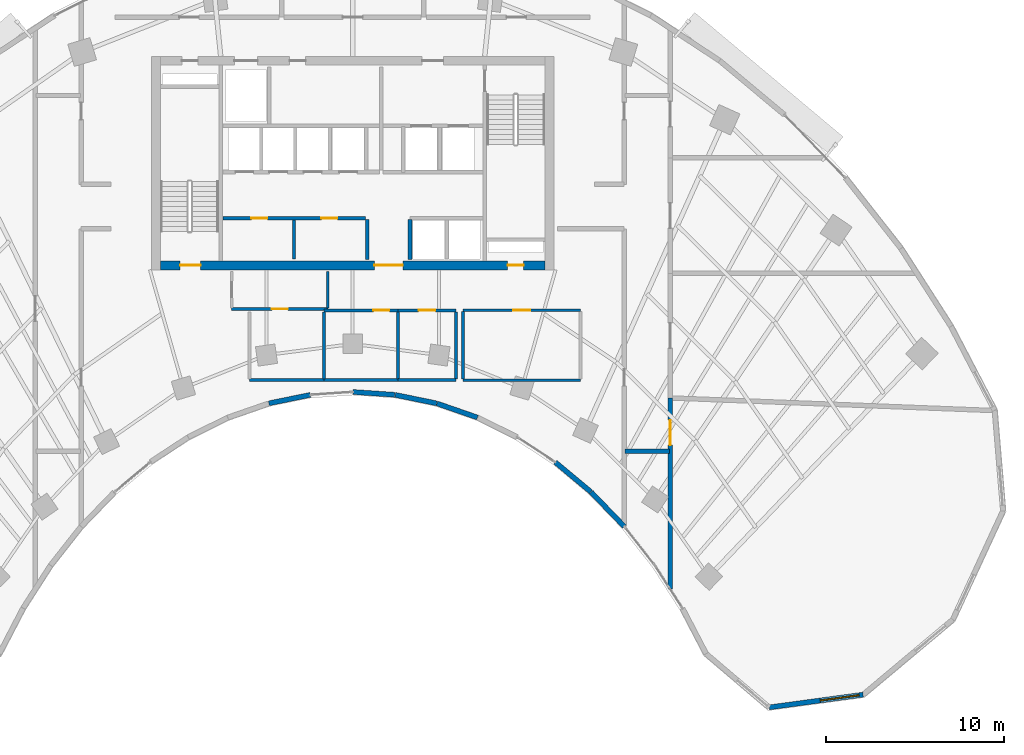
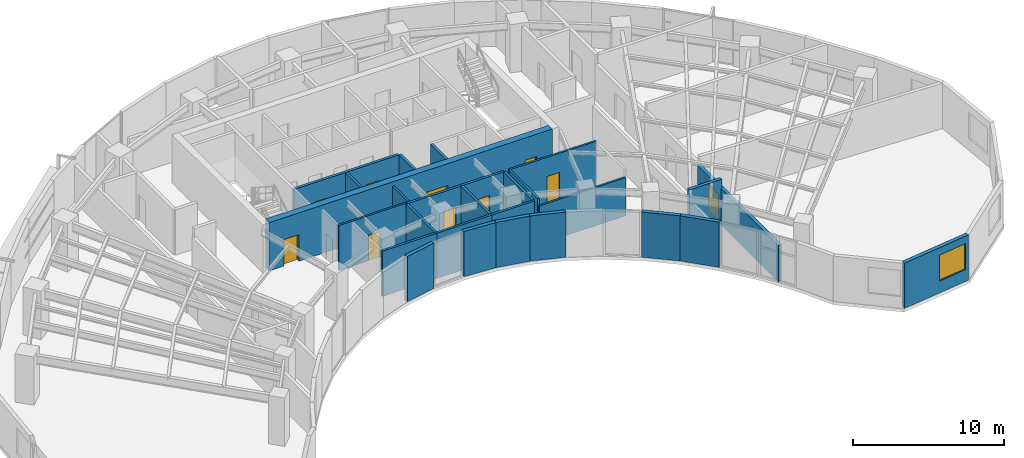
# One storey, part 9 of 14: 27 walls, 10 doors, 1 window, 11 openings.
"""IFC4 building model written with IfcOpenShell, lengths in metres."""

import ifcopenshell
import ifcopenshell.guid

model = None  # the IFC model being written
_history = None  # IfcOwnerHistory: only IFC2X3 demands one
_inside = {}  # id of a spatial element -> (the spatial element, [elements in it])
_under = {}  # id of a project, library or spatial element -> (it, [spatial elements below it])
_declared = {}  # id of a project -> (the project, [libraries it declares])
_typed = {}  # id of a type object -> (the type object, [elements of that type])
_made_of = {}  # id of a material, layer set ... -> (it, [elements and type objects made of it])


def new_model(schema):
    """Start an empty IFC model of exactly this schema.

    Asked for "IFC4X3", IfcOpenShell would pick the latest addendum, in which some entities
    have other attributes; the version numbers below select the first issue.
    IFC2X3 requires an IfcOwnerHistory on every rooted entity: one is made here for all.
    """
    global model, _history
    if schema == "IFC4X3":
        model = ifcopenshell.file(schema_version=(4, 3, 0, 0))
    else:
        model = ifcopenshell.file(schema=schema)
    _inside.clear()
    _under.clear()
    _declared.clear()
    _typed.clear()
    _made_of.clear()
    _history = None
    if model.schema == "IFC2X3":
        org = make("IfcOrganization", Name="unknown")
        user = make(
            "IfcPersonAndOrganization",
            ThePerson=make("IfcPerson", FamilyName="unknown"),
            TheOrganization=org,
        )
        app = make(
            "IfcApplication",
            ApplicationDeveloper=org,
            Version="unknown",
            ApplicationFullName="unknown",
            ApplicationIdentifier="unknown",
        )
        _history = make(
            "IfcOwnerHistory",
            OwningUser=user,
            OwningApplication=app,
            ChangeAction="ADDED",
            CreationDate=0,
        )
    return model


def make(cls, **values):
    """One entity of the class cls with the attributes given. An attribute that is None is left unset."""
    return model.create_entity(
        cls, **{name: value for name, value in values.items() if value is not None}
    )


def rooted(cls, **values):
    """An entity with a GlobalId (a new one), such as an element, a storey or a relation."""
    return make(cls, GlobalId=ifcopenshell.guid.new(), OwnerHistory=_history, **values)


def si_unit(unit_type, name, prefix=None):
    """IfcSIUnit, for example si_unit("LENGTHUNIT", "METRE", prefix="MILLI")."""
    return make("IfcSIUnit", UnitType=unit_type, Prefix=prefix, Name=name)


def assignment(units):
    """IfcUnitAssignment: the units of a project."""
    return None if units is None else make("IfcUnitAssignment", Units=units)


def point(xyz):
    """IfcCartesianPoint."""
    return None if xyz is None else make("IfcCartesianPoint", Coordinates=xyz)


def direction(xyz):
    """IfcDirection."""
    return None if xyz is None else make("IfcDirection", DirectionRatios=xyz)


def frame(location, z_axis=None, x_axis=None):
    """IfcAxis2Placement3D, a coordinate frame: its origin and axes. An axis left out is left unset."""
    return make(
        "IfcAxis2Placement3D",
        Location=point(location),
        Axis=direction(z_axis),
        RefDirection=direction(x_axis),
    )


def frame_2d(location, x_axis=None):
    """IfcAxis2Placement2D, a coordinate frame in the plane: its origin and x axis."""
    return make(
        "IfcAxis2Placement2D", Location=point(location), RefDirection=direction(x_axis)
    )


def origin():
    """The frame at (0, 0, 0) with its axes left unset."""
    return frame((0.0, 0.0, 0.0))


def place(relative_to, where):
    """IfcLocalPlacement: puts the frame where relative to a parent placement (None: the world)."""
    return make(
        "IfcLocalPlacement", PlacementRelTo=relative_to, RelativePlacement=where
    )


def context(
    kind, dimensions, precision=None, world=None, true_north=None, identifier=None
):
    """IfcGeometricRepresentationContext, for example the 3D "Model" context."""
    return make(
        "IfcGeometricRepresentationContext",
        ContextIdentifier=identifier,
        ContextType=kind,
        CoordinateSpaceDimension=dimensions,
        Precision=precision,
        WorldCoordinateSystem=world,
        TrueNorth=true_north,
    )


def subcontext(parent, identifier, kind, view, scale=None):
    """IfcGeometricRepresentationSubContext, for example "Body" below "Model"."""
    return make(
        "IfcGeometricRepresentationSubContext",
        ContextIdentifier=identifier,
        ContextType=kind,
        ParentContext=parent,
        TargetScale=scale,
        TargetView=view,
    )


def project(units=None, contexts=None):
    """IfcProject with its units and contexts."""
    return rooted(
        "IfcProject",
        Name="project",
        RepresentationContexts=contexts,
        UnitsInContext=assignment(units),
    )


def spatial(cls, under=None, at=None, **own):
    """A site, building, storey or space (cls), placed at a placement, below another one or the project."""
    s = rooted(cls, ObjectPlacement=at, **own)
    if under is not None:
        _under.setdefault(under.id(), (under, []))[1].append(s)
    return s


def profile(cls, at=None, kind="AREA", **sizes):
    """A parametric profile (cls). Its sizes go by their IFC names, for example OverallWidth=200.0."""
    return make(cls, ProfileType=kind, Position=at, **sizes)


def rectangle(**sizes):
    """IfcRectangleProfileDef."""
    return profile("IfcRectangleProfileDef", **sizes)


def extrude(swept, where, along, depth):
    """IfcExtrudedAreaSolid: the profile swept, set in the frame where, extruded along a direction by depth."""
    return make(
        "IfcExtrudedAreaSolid",
        SweptArea=swept,
        Position=where,
        ExtrudedDirection=direction(along),
        Depth=depth,
    )


def shape(context_of_items, identifier, shape_type, items):
    """IfcShapeRepresentation: the items that make up one representation, for example the "Body"."""
    return make(
        "IfcShapeRepresentation",
        ContextOfItems=context_of_items,
        RepresentationIdentifier=identifier,
        RepresentationType=shape_type,
        Items=items,
    )


def source(mapping_origin, context_of_items, identifier, shape_type, items):
    """IfcRepresentationMap: a shape defined once, which mapped items show again and again."""
    return make(
        "IfcRepresentationMap",
        MappingOrigin=mapping_origin,
        MappedRepresentation=shape(context_of_items, identifier, shape_type, items),
    )


def transform(
    local_origin,
    x_axis=None,
    y_axis=None,
    z_axis=None,
    scale=None,
    scale2=None,
    scale3=None,
    uniform=True,
):
    """IfcCartesianTransformationOperator3D, or its non-uniform kind. x_axis, y_axis, z_axis: its Axis1, 2, 3."""
    if uniform:
        return make(
            "IfcCartesianTransformationOperator3D",
            Axis1=direction(x_axis),
            Axis2=direction(y_axis),
            LocalOrigin=point(local_origin),
            Scale=scale,
            Axis3=direction(z_axis),
        )
    return make(
        "IfcCartesianTransformationOperator3DnonUniform",
        Axis1=direction(x_axis),
        Axis2=direction(y_axis),
        LocalOrigin=point(local_origin),
        Scale=scale,
        Axis3=direction(z_axis),
        Scale2=scale2,
        Scale3=scale3,
    )


def mapped(mapping_source, mapping_target):
    """IfcMappedItem: shows the shape of a source again, moved by a transform."""
    return make(
        "IfcMappedItem", MappingSource=mapping_source, MappingTarget=mapping_target
    )


def material(Name=None, Category=None):
    """IfcMaterial."""
    return make("IfcMaterial", Name=Name, Category=Category)


def layer(
    of_material, thickness, ventilated=None, Name=None, Category=None, Priority=None
):
    """IfcMaterialLayer: one layer of a wall or slab, of a material (None: an air gap)."""
    return make(
        "IfcMaterialLayer",
        Material=of_material,
        LayerThickness=thickness,
        IsVentilated=ventilated,
        Name=Name,
        Category=Category,
        Priority=Priority,
    )


def layer_set(layers, Name=None):
    """IfcMaterialLayerSet."""
    return make("IfcMaterialLayerSet", MaterialLayers=layers, LayerSetName=Name)


def made_of(thing, what):
    """Note that an element or type object is made of a material, layer set ...; save() writes the relation."""
    if what is not None:
        _made_of.setdefault(what.id(), (what, []))[1].append(thing)
    return thing


def type_object(cls, material=None, **own):
    """A type object (cls), such as IfcWallType, which elements share."""
    return made_of(rooted(cls, **own), material)


def type_shapes(of_type, sources):
    """Give a type object the sources (RepresentationMaps) that its elements show as mapped items."""
    of_type.RepresentationMaps = sources


def element(
    cls,
    number,
    at=None,
    inside=None,
    cuts=None,
    type_object=None,
    material=None,
    context=None,
    identifier="Body",
    shape_type=None,
    held_by="IfcProductDefinitionShape",
    body=None,
    shapes=None,
    **own,
):
    """One element of the class cls, such as IfcWall. Its Tag is "e" and its number.

    at: its placement. inside: the storey or other place that contains it. cuts: it is an
    opening in that element (IfcRelVoidsElement). A single representation is given by context,
    identifier, shape_type and body (its items); several are given by shapes. held_by: the class
    of the entity that holds the representations. save() writes the other relations.
    """
    e = rooted(cls, Tag="e%d" % number, ObjectPlacement=at, **own)
    if body is not None:
        shapes = [shape(context, identifier, shape_type, body)]
    if shapes is not None:
        e.Representation = make(held_by, Representations=shapes)
    if inside is not None:
        _inside.setdefault(inside.id(), (inside, []))[1].append(e)
    if cuts is not None:
        rooted(
            "IfcRelVoidsElement", RelatingBuildingElement=cuts, RelatedOpeningElement=e
        )
    if type_object is not None:
        _typed.setdefault(type_object.id(), (type_object, []))[1].append(e)
    return made_of(e, material)


def fill(opening, filler):
    """IfcRelFillsElement: the door or window that sits in an opening."""
    return rooted(
        "IfcRelFillsElement",
        RelatingOpeningElement=opening,
        RelatedBuildingElement=filler,
    )


def aggregate(whole, parts):
    """IfcRelAggregates: a whole, such as a stair, and the parts it consists of."""
    return rooted("IfcRelAggregates", RelatingObject=whole, RelatedObjects=parts)


def save(model, path):
    """Write the relations noted so far, then the file.

    IfcRelAggregates (storeys below a building ...), IfcRelContainedInSpatialStructure (elements
    in a storey), IfcRelDefinesByType, IfcRelAssociatesMaterial and IfcRelDeclares: one each for
    every whole, place, type object, material and project.
    """
    for whole, parts in _under.values():
        aggregate(whole, parts)
    for where, things in _inside.values():
        rooted(
            "IfcRelContainedInSpatialStructure",
            RelatedElements=things,
            RelatingStructure=where,
        )
    for kind, things in _typed.values():
        rooted("IfcRelDefinesByType", RelatedObjects=things, RelatingType=kind)
    for what, things in _made_of.values():
        rooted("IfcRelAssociatesMaterial", RelatedObjects=things, RelatingMaterial=what)
    for by, libraries in _declared.values():
        rooted("IfcRelDeclares", RelatingContext=by, RelatedDefinitions=libraries)
    model.write(path)


model = new_model("IFC4")

# Units and contexts
model_context = context("Model", 3, precision=1e-05, world=origin(), true_north=direction((0.0, 1.0)))
body_context = subcontext(model_context, "Body", "Model", "MODEL_VIEW")
ifc_project = project(units=[si_unit("LENGTHUNIT", "METRE"), si_unit("AREAUNIT", "SQUARE_METRE"), si_unit("VOLUMEUNIT", "CUBIC_METRE"), si_unit("PLANEANGLEUNIT", "RADIAN"), si_unit("MASSUNIT", "GRAM", prefix="KILO")], contexts=[model_context])

# Site, building, storey
site_placement = place(None, origin())
site = spatial("IfcSite", under=ifc_project, at=site_placement, CompositionType="ELEMENT")
building_placement = place(site_placement, origin())
building = spatial("IfcBuilding", under=site, at=building_placement, Name="Breltana Convention Tower", CompositionType="ELEMENT")
storey_placement = place(building_placement, frame((0.0, 0.0, 123.300048828125)))
storey = spatial("IfcBuildingStorey", under=building, at=storey_placement, Name="L29", CompositionType="ELEMENT", Elevation=123.300048828125)

# Wall, openings, doors
ifc_material_1 = material(Name="Concrete C60/75", Category="concrete")
ifc_layer_1 = layer(ifc_material_1, 0.5, Name="Concrete C60/75")
ifc_layer_set_1 = layer_set([ifc_layer_1], Name="Concrete C60/75")
wall_type_1 = type_object("IfcWallType", Name="SW-CORE-500", PredefinedType="SHEAR", material=ifc_layer_set_1)
shared_shape_1 = source(origin(), body_context, "Body", "SweptSolid", [
    extrude(rectangle(XDim=21.60009765625, YDim=0.5, at=frame_2d((10.800048828125, 0.0))), origin(), (0.0, 0.0, 1.0), 3.89990234375),
])
wall_1_placement = place(storey_placement, frame((37.199951171875, 60.449951171875, 0.0), z_axis=(0.0, 0.0, 1.0), x_axis=(1.0, 0.0, 0.0)))
wall_1 = element("IfcWall", 1, at=wall_1_placement, inside=storey, type_object=wall_type_1, Name="L29 South Core Shear Wall", PredefinedType="SHEAR", context=body_context, shape_type="MappedRepresentation", body=[
    mapped(shared_shape_1, transform((0.0, 0.0, 0.0), scale=1.0)),
])
opening_1_placement = place(wall_1_placement, frame((1.10009765625, 0.0, 0.0)))
opening_1 = element("IfcOpeningElement", 2, at=opening_1_placement, cuts=wall_1, Name="Opening D-11", PredefinedType="OPENING", context=body_context, shape_type="SweptSolid", body=[
    extrude(rectangle(XDim=1.14990234375, YDim=2.14990234375, at=frame_2d((0.574951171875, 1.074951171875))), frame((0.0, 0.260009765625, 0.0), z_axis=(0.0, -1.0, 0.0), x_axis=(1.0, 0.0, 0.0)), (0.0, 0.0, 1.0), 0.52001953125),
])
opening_2_placement = place(wall_1_placement, frame((19.5, 0.0, 0.0)))
opening_2 = element("IfcOpeningElement", 3, at=opening_2_placement, cuts=wall_1, Name="Opening D-18", PredefinedType="OPENING", context=body_context, shape_type="SweptSolid", body=[
    extrude(rectangle(XDim=0.89990234375, YDim=2.10009765625, at=frame_2d((0.449951171875, 1.050048828125))), frame((0.0, 0.260009765625, 0.0), z_axis=(0.0, -1.0, 0.0), x_axis=(1.0, 0.0, 0.0)), (0.0, 0.0, 1.0), 0.52001953125),
])
opening_3_placement = place(wall_1_placement, frame((12.02001953125, 0.0, 0.0)))
opening_3 = element("IfcOpeningElement", 4, at=opening_3_placement, cuts=wall_1, Name="Opening D-02", PredefinedType="OPENING", context=body_context, shape_type="SweptSolid", body=[
    extrude(rectangle(XDim=1.60009765625, YDim=2.14990234375, at=frame_2d((0.800048828125, 1.074951171875))), frame((0.0, 0.260009765625, 0.0), z_axis=(0.0, -1.0, 0.0), x_axis=(1.0, 0.0, 0.0)), (0.0, 0.0, 1.0), 0.52001953125),
])
ifc_material_2 = material(Name="Steel Stair Exit Door", Category="steel")
door_type_1 = type_object("IfcDoorType", Name="DR-FD120-1150", OperationType="NOTDEFINED", PredefinedType="DOOR", material=ifc_material_2)
shared_shape_2 = source(origin(), body_context, "Body", "SweptSolid", [
    extrude(rectangle(XDim=1.14990234375, YDim=2.14990234375, at=frame_2d((0.574951171875, 1.074951171875))), frame((0.0, 0.02490234375, 0.0), z_axis=(0.0, -1.0, 0.0), x_axis=(1.0, 0.0, 0.0)), (0.0, 0.0, 1.0), 0.050048828125),
])
type_shapes(door_type_1, [shared_shape_2])
door_1_placement = place(opening_1_placement, origin())
door_1 = element("IfcDoor", 5, at=door_1_placement, inside=storey, type_object=door_type_1, Name="L29 interior door D-L29-ST1", OperationType="SINGLE_SWING_LEFT", OverallHeight=2.14990234375, OverallWidth=1.14990234375, PredefinedType="DOOR", context=body_context, shape_type="MappedRepresentation", body=[
    mapped(shared_shape_2, transform((0.0, 0.0, 0.0), scale=1.0)),
])
fill(opening_1, door_1)
ifc_material_3 = material(Name="Steel Riser Fire Door", Category="steel")
door_type_2 = type_object("IfcDoorType", Name="DR-FD60-900", OperationType="NOTDEFINED", PredefinedType="DOOR", material=ifc_material_3)
shared_shape_3 = source(origin(), body_context, "Body", "SweptSolid", [
    extrude(rectangle(XDim=0.89990234375, YDim=2.10009765625, at=frame_2d((0.449951171875, 1.050048828125))), frame((0.0, 0.02490234375, 0.0), z_axis=(0.0, -1.0, 0.0), x_axis=(1.0, 0.0, 0.0)), (0.0, 0.0, 1.0), 0.050048828125),
])
type_shapes(door_type_2, [shared_shape_3])
door_2_placement = place(opening_2_placement, origin())
door_2 = element("IfcDoor", 6, at=door_2_placement, inside=storey, type_object=door_type_2, Name="L29 Core Riser Access Door D-L29-RS2", OperationType="SINGLE_SWING_RIGHT", OverallHeight=2.10009765625, OverallWidth=0.89990234375, PredefinedType="DOOR", context=body_context, shape_type="MappedRepresentation", body=[
    mapped(shared_shape_3, transform((0.0, 0.0, 0.0), scale=1.0)),
])
fill(opening_2, door_2)
ifc_material_4 = material(Name="Steel Glazed Smoke-Control Door", Category="steel")
door_type_3 = type_object("IfcDoorType", Name="DR-DBL-FD90-1600", OperationType="DOUBLE_DOOR_SINGLE_SWING", PredefinedType="DOOR", material=ifc_material_4)
shared_shape_4 = source(origin(), body_context, "Body", "SweptSolid", [
    extrude(rectangle(XDim=1.60009765625, YDim=2.14990234375, at=frame_2d((0.800048828125, 1.074951171875))), frame((0.0, 0.02490234375, 0.0), z_axis=(0.0, -1.0, 0.0), x_axis=(1.0, 0.0, 0.0)), (0.0, 0.0, 1.0), 0.050048828125),
])
type_shapes(door_type_3, [shared_shape_4])
door_3_placement = place(opening_3_placement, origin())
door_3 = element("IfcDoor", 7, at=door_3_placement, inside=storey, type_object=door_type_3, Name="L29 interior door D-L29-LLB-S", OperationType="DOUBLE_DOOR_SINGLE_SWING", OverallHeight=2.14990234375, OverallWidth=1.60009765625, PredefinedType="DOOR", context=body_context, shape_type="MappedRepresentation", body=[
    mapped(shared_shape_4, transform((0.0, 0.0, 0.0), scale=1.0)),
])
fill(opening_3, door_3)

# Wall, opening, window
ifc_material_5 = material(Name="Limestone Buff Insulated Wall", Category="masonry")
ifc_layer_2 = layer(ifc_material_5, 0.280029296875, Name="Limestone Buff Insulated Wall")
ifc_layer_set_2 = layer_set([ifc_layer_2], Name="Limestone Buff Insulated Wall")
wall_type_2 = type_object("IfcWallType", Name="WL-EXT-NOSE-280", PredefinedType="SOLIDWALL", material=ifc_layer_set_2)
shared_shape_5 = source(origin(), body_context, "Body", "SweptSolid", [
    extrude(rectangle(XDim=5.32373046875, YDim=0.280029296875, at=frame_2d((2.661865234375, 0.0))), origin(), (0.0, 0.0, 1.0), 3.64990234375),
])
wall_2_placement = place(storey_placement, frame((76.685791015625, 36.321533203125, 0.0), z_axis=(0.0, 0.0, 1.0), x_axis=(-0.990931467223, -0.134368252451, 0.0)))
wall_2 = element("IfcWall", 8, at=wall_2_placement, inside=storey, type_object=wall_type_2, Name="L29 curved limestone nose wall E4", PredefinedType="SOLIDWALL", context=body_context, shape_type="MappedRepresentation", body=[
    mapped(shared_shape_5, transform((0.0, 0.0, 0.0), scale=1.0)),
])
opening_4_placement = place(wall_2_placement, frame((0.23095703125, 0.0, 0.949951171875)))
opening_4 = element("IfcOpeningElement", 9, at=opening_4_placement, cuts=wall_2, Name="Opening W-03", PredefinedType="OPENING", context=body_context, shape_type="SweptSolid", body=[
    extrude(rectangle(XDim=2.199951171875, YDim=2.10009765625, at=frame_2d((1.10009765625, 1.050048828125))), frame((0.0, 0.14990234375, 0.0), z_axis=(0.0, -1.0, 0.0), x_axis=(1.0, 0.0, 0.0)), (0.0, 0.0, 1.0), 0.300048828125),
])
ifc_material_6 = material(Name="Glass Low-E Insulated Window", Category="glass")
window_type = type_object("IfcWindowType", Name="WN-NOSE-2200X2100", PartitioningType="TRIPLE_PANEL_VERTICAL", PredefinedType="WINDOW", material=ifc_material_6)
shared_shape_6 = source(origin(), body_context, "Body", "SweptSolid", [
    extrude(rectangle(XDim=2.199951171875, YDim=2.10009765625, at=frame_2d((1.10009765625, 1.050048828125))), frame((0.0, 0.030029296875, 0.0), z_axis=(0.0, -1.0, 0.0), x_axis=(1.0, 0.0, 0.0)), (0.0, 0.0, 1.0), 0.06005859375),
])
type_shapes(window_type, [shared_shape_6])
window_placement = place(opening_4_placement, origin())
window = element("IfcWindow", 10, at=window_placement, inside=storey, type_object=window_type, Name="L29 nose window E4", OverallHeight=2.10009765625, OverallWidth=2.199951171875, PartitioningType="TRIPLE_PANEL_VERTICAL", PredefinedType="WINDOW", context=body_context, shape_type="MappedRepresentation", body=[
    mapped(shared_shape_6, transform((0.0, 0.0, 0.0), scale=1.0)),
])
fill(opening_4, window)

# Walls
shared_shape_7 = source(origin(), body_context, "Body", "SweptSolid", [
    extrude(rectangle(XDim=2.679931640625, YDim=0.280029296875, at=frame_2d((1.33984375, 0.0))), origin(), (0.0, 0.0, 1.0), 3.64990234375),
])
wall_3_placement = place(storey_placement, frame((63.260009765625, 45.780029296875, 0.0), z_axis=(0.0, 0.0, 1.0), x_axis=(-0.694561996568, 0.719432855049, 0.0)))
element("IfcWall", 11, at=wall_3_placement, inside=storey, type_object=wall_type_2, Name="L29 curved limestone nose wall E7", PredefinedType="SOLIDWALL", context=body_context, shape_type="MappedRepresentation", body=[
    mapped(shared_shape_7, transform((0.0, 0.0, 0.0), scale=1.0)),
])
shared_shape_8 = source(origin(), body_context, "Body", "SweptSolid", [
    extrude(rectangle(XDim=2.600830078125, YDim=0.280029296875, at=frame_2d((1.30029296875, 0.0))), origin(), (0.0, 0.0, 1.0), 3.64990234375),
])
wall_4_placement = place(storey_placement, frame((61.384521484375, 47.72119140625, 0.0), z_axis=(0.0, 0.0, 1.0), x_axis=(-0.76796730295, 0.640489048775, 0.0)))
element("IfcWall", 12, at=wall_4_placement, inside=storey, type_object=wall_type_2, Name="L29 curved limestone nose wall E8", PredefinedType="SOLIDWALL", context=body_context, shape_type="MappedRepresentation", body=[
    mapped(shared_shape_8, transform((0.0, 0.0, 0.0), scale=1.0)),
])
shared_shape_9 = source(origin(), body_context, "Body", "SweptSolid", [
    extrude(rectangle(XDim=2.41064453125, YDim=0.280029296875, at=frame_2d((1.205322265625, 0.0))), origin(), (0.0, 0.0, 1.0), 3.64990234375),
])
wall_5_placement = place(storey_placement, frame((55.01171875, 51.8994140625, 0.0), z_axis=(0.0, 0.0, 1.0), x_axis=(-0.944880068161, 0.327416640982, 0.0)))
element("IfcWall", 13, at=wall_5_placement, inside=storey, type_object=wall_type_2, Name="L29 curved limestone nose wall E10", PredefinedType="SOLIDWALL", context=body_context, shape_type="MappedRepresentation", body=[
    mapped(shared_shape_9, transform((0.0, 0.0, 0.0), scale=1.0)),
])
shared_shape_10 = source(origin(), body_context, "Body", "SweptSolid", [
    extrude(rectangle(XDim=2.373779296875, YDim=0.280029296875, at=frame_2d((1.18701171875, 0.0))), origin(), (0.0, 0.0, 1.0), 3.64990234375),
])
for number, where, z_axis, x_axis, name in (
    (14, (52.711181640625, 52.695068359375, 0.0), (0.0, 0.0, 1.0), (-0.979619827472, 0.200860632341, 0.0), "L29 curved limestone nose wall E11"),
    (15, (45.6142578125, 53.171875, 0.0), (0.0, 0.0, 1.0), (-0.979619827472, -0.200860632341, 0.0), "L29 curved limestone nose wall E13"),
):
    element("IfcWall", number, at=place(storey_placement, frame(where, z_axis=z_axis, x_axis=x_axis)), inside=storey, type_object=wall_type_2, Name=name, PredefinedType="SOLIDWALL", context=body_context, shape_type="MappedRepresentation", body=[
        mapped(shared_shape_10, transform((0.0, 0.0, 0.0), scale=1.0)),
    ])
shared_shape_11 = source(origin(), body_context, "Body", "SweptSolid", [
    extrude(rectangle(XDim=2.35498046875, YDim=0.280029296875, at=frame_2d((1.177490234375, 0.0))), origin(), (0.0, 0.0, 1.0), 3.64990234375),
])
wall_6_placement = place(storey_placement, frame((50.36181640625, 53.175048828125, 0.0), z_axis=(0.0, 0.0, 1.0), x_axis=(-0.997699017577, 0.067798748701, 0.0)))
element("IfcWall", 16, at=wall_6_placement, inside=storey, type_object=wall_type_2, Name="L29 curved limestone nose wall E12", PredefinedType="SOLIDWALL", context=body_context, shape_type="MappedRepresentation", body=[
    mapped(shared_shape_11, transform((0.0, 0.0, 0.0), scale=1.0)),
])
ifc_material_7 = material(Name="Autoclaved Aerated Concrete Block", Category="concrete")
ifc_layer_3 = layer(ifc_material_7, 0.199951171875, Name="Autoclaved Aerated Concrete Block")
ifc_layer_set_3 = layer_set([ifc_layer_3], Name="Autoclaved Aerated Concrete Block")
wall_type_3 = type_object("IfcWallType", Name="WL-SHAFT-200", PredefinedType="SOLIDWALL", material=ifc_layer_set_3)
shared_shape_12 = source(origin(), body_context, "Body", "SweptSolid", [
    extrude(rectangle(XDim=2.239990234375, YDim=0.199951171875, at=frame_2d((1.1201171875, 0.0))), origin(), (0.0, 0.0, 1.0), 3.64990234375),
])
for number, where, z_axis, x_axis, name in (
    (17, (48.820068359375, 60.780029296875, 0.0), (0.0, 0.0, 1.0), (0.0, 1.0, 0.0), "L29 interior partition W-L29-PORT-W"),
    (18, (51.219970703125, 60.780029296875, 0.0), (0.0, 0.0, 1.0), (0.0, 1.0, 0.0), "L29 interior partition W-L29-PORT-E"),
):
    element("IfcWall", number, at=place(storey_placement, frame(where, z_axis=z_axis, x_axis=x_axis)), inside=storey, type_object=wall_type_3, Name=name, PredefinedType="SOLIDWALL", context=body_context, shape_type="MappedRepresentation", body=[
        mapped(shared_shape_12, transform((0.0, 0.0, 0.0), scale=1.0)),
    ])

# Wall, openings, doors
shared_shape_13 = source(origin(), body_context, "Body", "SweptSolid", [
    extrude(rectangle(XDim=8.02001953125, YDim=0.199951171875, at=frame_2d((4.010009765625, 0.0))), origin(), (0.0, 0.0, 1.0), 3.64990234375),
])
wall_7_placement = place(storey_placement, frame((40.699951171875, 63.10009765625, 0.0), z_axis=(0.0, 0.0, 1.0), x_axis=(1.0, 0.0, 0.0)))
wall_7 = element("IfcWall", 19, at=wall_7_placement, inside=storey, type_object=wall_type_3, Name="L29 interior partition W-L29-SH-S-FRONT", PredefinedType="SOLIDWALL", context=body_context, shape_type="MappedRepresentation", body=[
    mapped(shared_shape_13, transform((0.0, 0.0, 0.0), scale=1.0)),
])
opening_5_placement = place(wall_7_placement, frame((1.60009765625, 0.0, 0.0)))
opening_5 = element("IfcOpeningElement", 20, at=opening_5_placement, cuts=wall_7, Name="Opening D-18", PredefinedType="OPENING", context=body_context, shape_type="SweptSolid", body=[
    extrude(rectangle(XDim=0.89990234375, YDim=2.10009765625, at=frame_2d((0.449951171875, 1.050048828125))), frame((0.0, 0.10986328125, 0.0), z_axis=(0.0, -1.0, 0.0), x_axis=(1.0, 0.0, 0.0)), (0.0, 0.0, 1.0), 0.219970703125),
])
opening_6_placement = place(wall_7_placement, frame((5.5400390625, 0.0, 0.0)))
opening_6 = element("IfcOpeningElement", 21, at=opening_6_placement, cuts=wall_7, Name="Opening D-18", PredefinedType="OPENING", context=body_context, shape_type="SweptSolid", body=[
    extrude(rectangle(XDim=0.89990234375, YDim=2.10009765625, at=frame_2d((0.449951171875, 1.050048828125))), frame((0.0, 0.10986328125, 0.0), z_axis=(0.0, -1.0, 0.0), x_axis=(1.0, 0.0, 0.0)), (0.0, 0.0, 1.0), 0.219970703125),
])
door_4_placement = place(opening_5_placement, origin())
door_4 = element("IfcDoor", 22, at=door_4_placement, inside=storey, type_object=door_type_2, Name="L29 interior door D-L29-LV7-B1A", OperationType="SINGLE_SWING_RIGHT", OverallHeight=2.10009765625, OverallWidth=0.89990234375, PredefinedType="DOOR", context=body_context, shape_type="MappedRepresentation", body=[
    mapped(shared_shape_3, transform((0.0, 0.0, 0.0), scale=1.0)),
])
fill(opening_5, door_4)
door_5_placement = place(opening_6_placement, origin())
door_5 = element("IfcDoor", 23, at=door_5_placement, inside=storey, type_object=door_type_2, Name="L29 interior door D-L29-LV7-B1B", OperationType="SINGLE_SWING_LEFT", OverallHeight=2.10009765625, OverallWidth=0.89990234375, PredefinedType="DOOR", context=body_context, shape_type="MappedRepresentation", body=[
    mapped(shared_shape_3, transform((0.0, 0.0, 0.0), scale=1.0)),
])
fill(opening_6, door_5)

# Walls
ifc_material_8 = material(Name="Cement Board Wet-Area Partition")
ifc_layer_4 = layer(ifc_material_8, 0.175048828125, Name="Cement Board Wet-Area Partition")
ifc_layer_set_4 = layer_set([ifc_layer_4], Name="Cement Board Wet-Area Partition")
wall_type_4 = type_object("IfcWallType", Name="WL-WET-175", PredefinedType="PARTITIONING", material=ifc_layer_set_4)
shared_shape_14 = source(origin(), body_context, "Body", "SweptSolid", [
    extrude(rectangle(XDim=4.176025390625, YDim=0.175048828125, at=frame_2d((2.087890625, 0.0))), origin(), (0.0, 0.0, 1.0), 3.64990234375),
])
for number, where, z_axis, x_axis, name in (
    (24, (42.199951171875, 54.0, 0.0), (0.0, 0.0, 1.0), (1.0, 0.0, 0.0), "L29 interior partition W-L29-WCM-S"),
    (25, (46.3759765625, 54.0, 0.0), (0.0, 0.0, 1.0), (1.0, 0.0, 0.0), "L29 interior partition W-L29-WCF-S"),
):
    element("IfcWall", number, at=place(storey_placement, frame(where, z_axis=z_axis, x_axis=x_axis)), inside=storey, type_object=wall_type_4, Name=name, PredefinedType="PARTITIONING", context=body_context, shape_type="MappedRepresentation", body=[
        mapped(shared_shape_14, transform((0.0, 0.0, 0.0), scale=1.0)),
    ])

# Wall, opening, door
ifc_material_9 = material(Name="Moisture-Resistant Gypsum Chase Wall")
ifc_layer_5 = layer(ifc_material_9, 0.179931640625, Name="Moisture-Resistant Gypsum Chase Wall")
ifc_layer_set_5 = layer_set([ifc_layer_5], Name="Moisture-Resistant Gypsum Chase Wall")
wall_type_5 = type_object("IfcWallType", Name="WL-PLUMB-180", PredefinedType="PLUMBINGWALL", material=ifc_layer_set_5)
shared_shape_15 = source(origin(), body_context, "Body", "SweptSolid", [
    extrude(rectangle(XDim=4.176025390625, YDim=0.179931640625, at=frame_2d((2.087890625, 0.0))), origin(), (0.0, 0.0, 1.0), 3.64990234375),
])
wall_8_placement = place(storey_placement, frame((46.3759765625, 57.919921875, 0.0), z_axis=(0.0, 0.0, 1.0), x_axis=(1.0, 0.0, 0.0)))
wall_8 = element("IfcWall", 26, at=wall_8_placement, inside=storey, type_object=wall_type_5, Name="L29 interior partition W-L29-WCF-N", PredefinedType="PLUMBINGWALL", context=body_context, shape_type="MappedRepresentation", body=[
    mapped(shared_shape_15, transform((0.0, 0.0, 0.0), scale=1.0)),
])
opening_7_placement = place(wall_8_placement, frame((2.7880859375, 0.0, 0.0)))
opening_7 = element("IfcOpeningElement", 27, at=opening_7_placement, cuts=wall_8, Name="Opening D-19", PredefinedType="OPENING", context=body_context, shape_type="SweptSolid", body=[
    extrude(rectangle(XDim=0.89990234375, YDim=2.080078125, at=frame_2d((0.449951171875, 1.0400390625))), frame((0.0, 0.10009765625, 0.0), z_axis=(0.0, -1.0, 0.0), x_axis=(1.0, 0.0, 0.0)), (0.0, 0.0, 1.0), 0.199951171875),
])
ifc_material_10 = material(Name="Timber Moisture-Resistant Door", Category="wood")
door_type_4 = type_object("IfcDoorType", Name="DR-WC-900", OperationType="NOTDEFINED", PredefinedType="DOOR", material=ifc_material_10)
shared_shape_16 = source(origin(), body_context, "Body", "SweptSolid", [
    extrude(rectangle(XDim=0.89990234375, YDim=2.080078125, at=frame_2d((0.449951171875, 1.0400390625))), frame((0.0, 0.02490234375, 0.0), z_axis=(0.0, -1.0, 0.0), x_axis=(1.0, 0.0, 0.0)), (0.0, 0.0, 1.0), 0.050048828125),
])
type_shapes(door_type_4, [shared_shape_16])
door_6_placement = place(opening_7_placement, origin())
door_6 = element("IfcDoor", 28, at=door_6_placement, inside=storey, type_object=door_type_4, Name="L29 interior door D-L29-WCF", OperationType="SINGLE_SWING_RIGHT", OverallHeight=2.080078125, OverallWidth=0.89990234375, PredefinedType="DOOR", context=body_context, shape_type="MappedRepresentation", body=[
    mapped(shared_shape_16, transform((0.0, 0.0, 0.0), scale=1.0)),
])
fill(opening_7, door_6)

# Walls
shared_shape_17 = source(origin(), body_context, "Body", "SweptSolid", [
    extrude(rectangle(XDim=3.7626953125, YDim=0.175048828125, at=frame_2d((1.88134765625, 0.0))), origin(), (0.0, 0.0, 1.0), 3.64990234375),
])
for number, where, z_axis, x_axis, name in (
    (29, (46.3759765625, 54.07861328125, 0.0), (0.0, 0.0, 1.0), (0.0, 1.0, 0.0), "L29 interior partition W-L29-WCM-E"),
    (30, (50.552001953125, 54.07861328125, 0.0), (0.0, 0.0, 1.0), (0.0, 1.0, 0.0), "L29 interior partition W-L29-WCF-E"),
    (31, (53.800048828125, 54.07861328125, 0.0), (0.0, 0.0, 1.0), (0.0, 1.0, 0.0), "L29 interior partition W-L29-WCA-E"),
):
    element("IfcWall", number, at=place(storey_placement, frame(where, z_axis=z_axis, x_axis=x_axis)), inside=storey, type_object=wall_type_4, Name=name, PredefinedType="PARTITIONING", context=body_context, shape_type="MappedRepresentation", body=[
        mapped(shared_shape_17, transform((0.0, 0.0, 0.0), scale=1.0)),
    ])
shared_shape_18 = source(origin(), body_context, "Body", "SweptSolid", [
    extrude(rectangle(XDim=3.248046875, YDim=0.175048828125, at=frame_2d((1.6240234375, 0.0))), origin(), (0.0, 0.0, 1.0), 3.64990234375),
])
wall_9_placement = place(storey_placement, frame((50.552001953125, 54.0, 0.0), z_axis=(0.0, 0.0, 1.0), x_axis=(1.0, 0.0, 0.0)))
element("IfcWall", 32, at=wall_9_placement, inside=storey, type_object=wall_type_4, Name="L29 interior partition W-L29-WCA-S", PredefinedType="PARTITIONING", context=body_context, shape_type="MappedRepresentation", body=[
    mapped(shared_shape_18, transform((0.0, 0.0, 0.0), scale=1.0)),
])

# Wall, opening, door
shared_shape_19 = source(origin(), body_context, "Body", "SweptSolid", [
    extrude(rectangle(XDim=3.248046875, YDim=0.179931640625, at=frame_2d((1.6240234375, 0.0))), origin(), (0.0, 0.0, 1.0), 3.64990234375),
])
wall_10_placement = place(storey_placement, frame((50.552001953125, 57.919921875, 0.0), z_axis=(0.0, 0.0, 1.0), x_axis=(1.0, 0.0, 0.0)))
wall_10 = element("IfcWall", 33, at=wall_10_placement, inside=storey, type_object=wall_type_5, Name="L29 interior partition W-L29-WCA-N", PredefinedType="PLUMBINGWALL", context=body_context, shape_type="MappedRepresentation", body=[
    mapped(shared_shape_19, transform((0.0, 0.0, 0.0), scale=1.0)),
])
opening_8_placement = place(wall_10_placement, frame((1.14892578125, 0.0, 0.0)))
opening_8 = element("IfcOpeningElement", 34, at=opening_8_placement, cuts=wall_10, Name="Opening D-16", PredefinedType="OPENING", context=body_context, shape_type="SweptSolid", body=[
    extrude(rectangle(XDim=0.949951171875, YDim=2.1201171875, at=frame_2d((0.47509765625, 1.06005859375))), frame((0.0, 0.10009765625, 0.0), z_axis=(0.0, -1.0, 0.0), x_axis=(1.0, 0.0, 0.0)), (0.0, 0.0, 1.0), 0.199951171875),
])
ifc_material_11 = material(Name="Timber Laminate Accessible Door", Category="wood")
door_type_5 = type_object("IfcDoorType", Name="DR-ACC-950", OperationType="NOTDEFINED", PredefinedType="DOOR", material=ifc_material_11)
shared_shape_20 = source(origin(), body_context, "Body", "SweptSolid", [
    extrude(rectangle(XDim=0.949951171875, YDim=2.1201171875, at=frame_2d((0.47509765625, 1.06005859375))), frame((0.0, 0.02490234375, 0.0), z_axis=(0.0, -1.0, 0.0), x_axis=(1.0, 0.0, 0.0)), (0.0, 0.0, 1.0), 0.050048828125),
])
type_shapes(door_type_5, [shared_shape_20])
door_7_placement = place(opening_8_placement, origin())
door_7 = element("IfcDoor", 35, at=door_7_placement, inside=storey, type_object=door_type_5, Name="L29 interior door D-L29-WCA", OperationType="SINGLE_SWING_LEFT", OverallHeight=2.1201171875, OverallWidth=0.949951171875, PredefinedType="DOOR", context=body_context, shape_type="MappedRepresentation", body=[
    mapped(shared_shape_20, transform((0.0, 0.0, 0.0), scale=1.0)),
])
fill(opening_8, door_7)

# Wall
ifc_material_12 = material(Name="Gypsum Acoustic Drywall Partition")
ifc_layer_6 = layer(ifc_material_12, 0.14990234375, Name="Gypsum Acoustic Drywall Partition")
ifc_layer_set_6 = layer_set([ifc_layer_6], Name="Gypsum Acoustic Drywall Partition")
wall_type_6 = type_object("IfcWallType", Name="WL-PART-150", PredefinedType="PARTITIONING", material=ifc_layer_set_6)
shared_shape_21 = source(origin(), body_context, "Body", "SweptSolid", [
    extrude(rectangle(XDim=6.60009765625, YDim=0.14990234375, at=frame_2d((3.300048828125, 0.0))), origin(), (0.0, 0.0, 1.0), 3.094970703125),
])
wall_11_placement = place(storey_placement, frame((54.199951171875, 54.0, 0.0), z_axis=(0.0, 0.0, 1.0), x_axis=(1.0, 0.0, 0.0)))
element("IfcWall", 36, at=wall_11_placement, inside=storey, type_object=wall_type_6, Name="L29 interior partition W-L29-PNT-S", PredefinedType="PARTITIONING", context=body_context, shape_type="MappedRepresentation", body=[
    mapped(shared_shape_21, transform((0.0, 0.0, 0.0), scale=1.0)),
])

# Wall, opening, door
shared_shape_22 = source(origin(), body_context, "Body", "SweptSolid", [
    extrude(rectangle(XDim=6.60009765625, YDim=0.14990234375, at=frame_2d((3.300048828125, 0.0))), origin(), (0.0, 0.0, 1.0), 3.64990234375),
])
wall_12_placement = place(storey_placement, frame((54.199951171875, 57.919921875, 0.0), z_axis=(0.0, 0.0, 1.0), x_axis=(1.0, 0.0, 0.0)))
wall_12 = element("IfcWall", 37, at=wall_12_placement, inside=storey, type_object=wall_type_6, Name="L29 interior partition W-L29-PNT-N", PredefinedType="PARTITIONING", context=body_context, shape_type="MappedRepresentation", body=[
    mapped(shared_shape_22, transform((0.0, 0.0, 0.0), scale=1.0)),
])
opening_9_placement = place(wall_12_placement, frame((2.824951171875, 0.0, 0.0)))
opening_9 = element("IfcOpeningElement", 38, at=opening_9_placement, cuts=wall_12, Name="Opening D-17", PredefinedType="OPENING", context=body_context, shape_type="SweptSolid", body=[
    extrude(rectangle(XDim=0.949951171875, YDim=2.10009765625, at=frame_2d((0.47509765625, 1.050048828125))), frame((0.0, 0.0849609375, 0.0), z_axis=(0.0, -1.0, 0.0), x_axis=(1.0, 0.0, 0.0)), (0.0, 0.0, 1.0), 0.169921875),
])
ifc_material_13 = material(Name="Timber Oak Veneer Door", Category="wood")
door_type_6 = type_object("IfcDoorType", Name="DR-INT-950", OperationType="NOTDEFINED", PredefinedType="DOOR", material=ifc_material_13)
shared_shape_23 = source(origin(), body_context, "Body", "SweptSolid", [
    extrude(rectangle(XDim=0.949951171875, YDim=2.10009765625, at=frame_2d((0.47509765625, 1.050048828125))), frame((0.0, 0.02490234375, 0.0), z_axis=(0.0, -1.0, 0.0), x_axis=(1.0, 0.0, 0.0)), (0.0, 0.0, 1.0), 0.050048828125),
])
type_shapes(door_type_6, [shared_shape_23])
door_8_placement = place(opening_9_placement, origin())
door_8 = element("IfcDoor", 39, at=door_8_placement, inside=storey, type_object=door_type_6, Name="L29 interior door D-L29-PNT", OperationType="SINGLE_SWING_RIGHT", OverallHeight=2.10009765625, OverallWidth=0.949951171875, PredefinedType="DOOR", context=body_context, shape_type="MappedRepresentation", body=[
    mapped(shared_shape_23, transform((0.0, 0.0, 0.0), scale=1.0)),
])
fill(opening_9, door_8)

# Walls
shared_shape_24 = source(origin(), body_context, "Body", "SweptSolid", [
    extrude(rectangle(XDim=3.78515625, YDim=0.14990234375, at=frame_2d((1.892578125, 0.0))), origin(), (0.0, 0.0, 1.0), 3.64990234375),
])
wall_13_placement = place(storey_placement, frame((54.199951171875, 54.0673828125, 0.0), z_axis=(0.0, 0.0, 1.0), x_axis=(0.0, 1.0, 0.0)))
element("IfcWall", 40, at=wall_13_placement, inside=storey, type_object=wall_type_6, Name="L29 interior partition W-L29-PNT-W", PredefinedType="PARTITIONING", context=body_context, shape_type="MappedRepresentation", body=[
    mapped(shared_shape_24, transform((0.0, 0.0, 0.0), scale=1.0)),
])
shared_shape_25 = source(origin(), body_context, "Body", "SweptSolid", [
    extrude(rectangle(XDim=2.199951171875, YDim=0.14990234375, at=frame_2d((1.10009765625, 0.0))), origin(), (0.0, 0.0, 1.0), 3.64990234375),
])
wall_14_placement = place(storey_placement, frame((44.699951171875, 60.800048828125, 0.0), z_axis=(0.0, 0.0, 1.0), x_axis=(0.0, 1.0, 0.0)))
element("IfcWall", 41, at=wall_14_placement, inside=storey, type_object=wall_type_6, Name="L29 interior partition W-L29-LV7-B1-DIV", PredefinedType="PARTITIONING", context=body_context, shape_type="MappedRepresentation", body=[
    mapped(shared_shape_25, transform((0.0, 0.0, 0.0), scale=1.0)),
])

# Wall, opening, door
shared_shape_26 = source(origin(), body_context, "Body", "SweptSolid", [
    extrude(rectangle(XDim=5.400146484375, YDim=0.14990234375, at=frame_2d((2.7001953125, 0.0))), origin(), (0.0, 0.0, 1.0), 3.64990234375),
])
wall_15_placement = place(storey_placement, frame((41.199951171875, 58.0, 0.0), z_axis=(0.0, 0.0, 1.0), x_axis=(1.0, 0.0, 0.0)))
wall_15 = element("IfcWall", 42, at=wall_15_placement, inside=storey, type_object=wall_type_6, Name="L29 interior partition W-L29-CRSC-S", PredefinedType="PARTITIONING", context=body_context, shape_type="MappedRepresentation", body=[
    mapped(shared_shape_26, transform((0.0, 0.0, 0.0), scale=1.0)),
])
opening_10_placement = place(wall_15_placement, frame((2.25, 0.0, 0.0)))
opening_10 = element("IfcOpeningElement", 43, at=opening_10_placement, cuts=wall_15, Name="Opening D-19", PredefinedType="OPENING", context=body_context, shape_type="SweptSolid", body=[
    extrude(rectangle(XDim=0.89990234375, YDim=2.080078125, at=frame_2d((0.449951171875, 1.0400390625))), frame((0.0, 0.0849609375, 0.0), z_axis=(0.0, -1.0, 0.0), x_axis=(1.0, 0.0, 0.0)), (0.0, 0.0, 1.0), 0.169921875),
])
door_9_placement = place(opening_10_placement, origin())
door_9 = element("IfcDoor", 44, at=door_9_placement, inside=storey, type_object=door_type_4, Name="L29 interior door D-L29-WCM", OperationType="SINGLE_SWING_LEFT", OverallHeight=2.080078125, OverallWidth=0.89990234375, PredefinedType="DOOR", context=body_context, shape_type="MappedRepresentation", body=[
    mapped(shared_shape_16, transform((0.0, 0.0, 0.0), scale=1.0)),
])
fill(opening_10, door_9)

# Walls
shared_shape_27 = source(origin(), body_context, "Body", "SweptSolid", [
    extrude(rectangle(XDim=2.03271484375, YDim=0.14990234375, at=frame_2d((1.016357421875, 0.0))), origin(), (0.0, 0.0, 1.0), 3.64990234375),
])
wall_16_placement = place(storey_placement, frame((46.60009765625, 58.0673828125, 0.0), z_axis=(0.0, 0.0, 1.0), x_axis=(0.0, 1.0, 0.0)))
element("IfcWall", 45, at=wall_16_placement, inside=storey, type_object=wall_type_6, Name="L29 interior partition W-L29-CRSC-E", PredefinedType="PARTITIONING", context=body_context, shape_type="MappedRepresentation", body=[
    mapped(shared_shape_27, transform((0.0, 0.0, 0.0), scale=1.0)),
])
ifc_material_14 = material(Name="Gypsum Acoustic Double Stud Wall")
ifc_layer_7 = layer(ifc_material_14, 0.25, Name="Gypsum Acoustic Double Stud Wall")
ifc_layer_set_7 = layer_set([ifc_layer_7], Name="Gypsum Acoustic Double Stud Wall")
wall_type_7 = type_object("IfcWallType", Name="WL-ACOUSTIC-250", PredefinedType="PARTITIONING", material=ifc_layer_set_7)
shared_shape_28 = source(origin(), body_context, "Body", "SweptSolid", [
    extrude(rectangle(XDim=2.5, YDim=0.25, at=frame_2d((1.25, 0.0))), origin(), (0.0, 0.0, 1.0), 3.64990234375),
])
wall_17_placement = place(storey_placement, frame((63.300048828125, 50.0, 0.0), z_axis=(0.0, 0.0, 1.0), x_axis=(1.0, 0.0, 0.0)))
element("IfcWall", 46, at=wall_17_placement, inside=storey, type_object=wall_type_7, Name="L29 interior partition W-L29-CORNE-S", PredefinedType="PARTITIONING", context=body_context, shape_type="MappedRepresentation", body=[
    mapped(shared_shape_28, transform((0.0, 0.0, 0.0), scale=1.0)),
])

# Wall, opening, door
shared_shape_29 = source(origin(), body_context, "Body", "SweptSolid", [
    extrude(rectangle(XDim=10.725830078125, YDim=0.25, at=frame_2d((5.36279296875, 0.0))), origin(), (0.0, 0.0, 1.0), 2.94189453125),
])
wall_18_placement = place(storey_placement, frame((65.840087890625, 42.274169921875, 0.0), z_axis=(0.0, 0.0, 1.0), x_axis=(0.0, 1.0, 0.0)))
wall_18 = element("IfcWall", 47, at=wall_18_placement, inside=storey, type_object=wall_type_7, Name="L29 interior partition W-L29-ZE1-W", PredefinedType="PARTITIONING", context=body_context, shape_type="MappedRepresentation", body=[
    mapped(shared_shape_29, transform((0.0, 0.0, 0.0), scale=1.0)),
])
opening_11_placement = place(wall_18_placement, frame((8.07568359375, 0.0, 0.0)))
opening_11 = element("IfcOpeningElement", 48, at=opening_11_placement, cuts=wall_18, Name="Opening D-05", PredefinedType="OPENING", context=body_context, shape_type="SweptSolid", body=[
    extrude(rectangle(XDim=1.39990234375, YDim=2.14990234375, at=frame_2d((0.699951171875, 1.074951171875))), frame((0.0, 0.135009765625, 0.0), z_axis=(0.0, -1.0, 0.0), x_axis=(1.0, 0.0, 0.0)), (0.0, 0.0, 1.0), 0.27001953125),
])
ifc_material_15 = material(Name="Timber Veneer Glazed Double Door", Category="wood")
door_type_7 = type_object("IfcDoorType", Name="DR-DBL-1400", OperationType="DOUBLE_DOOR_SINGLE_SWING", PredefinedType="DOOR", material=ifc_material_15)
shared_shape_30 = source(origin(), body_context, "Body", "SweptSolid", [
    extrude(rectangle(XDim=1.39990234375, YDim=2.14990234375, at=frame_2d((0.699951171875, 1.074951171875))), frame((0.0, 0.02490234375, 0.0), z_axis=(0.0, -1.0, 0.0), x_axis=(1.0, 0.0, 0.0)), (0.0, 0.0, 1.0), 0.050048828125),
])
type_shapes(door_type_7, [shared_shape_30])
door_10_placement = place(opening_11_placement, origin())
door_10 = element("IfcDoor", 49, at=door_10_placement, inside=storey, type_object=door_type_7, Name="L29 interior door D-L29-ZE1", OperationType="SINGLE_SWING_RIGHT", OverallHeight=2.14990234375, OverallWidth=1.39990234375, PredefinedType="DOOR", context=body_context, shape_type="MappedRepresentation", body=[
    mapped(shared_shape_30, transform((0.0, 0.0, 0.0), scale=1.0)),
])
fill(opening_11, door_10)

save(model, "model.ifc")
